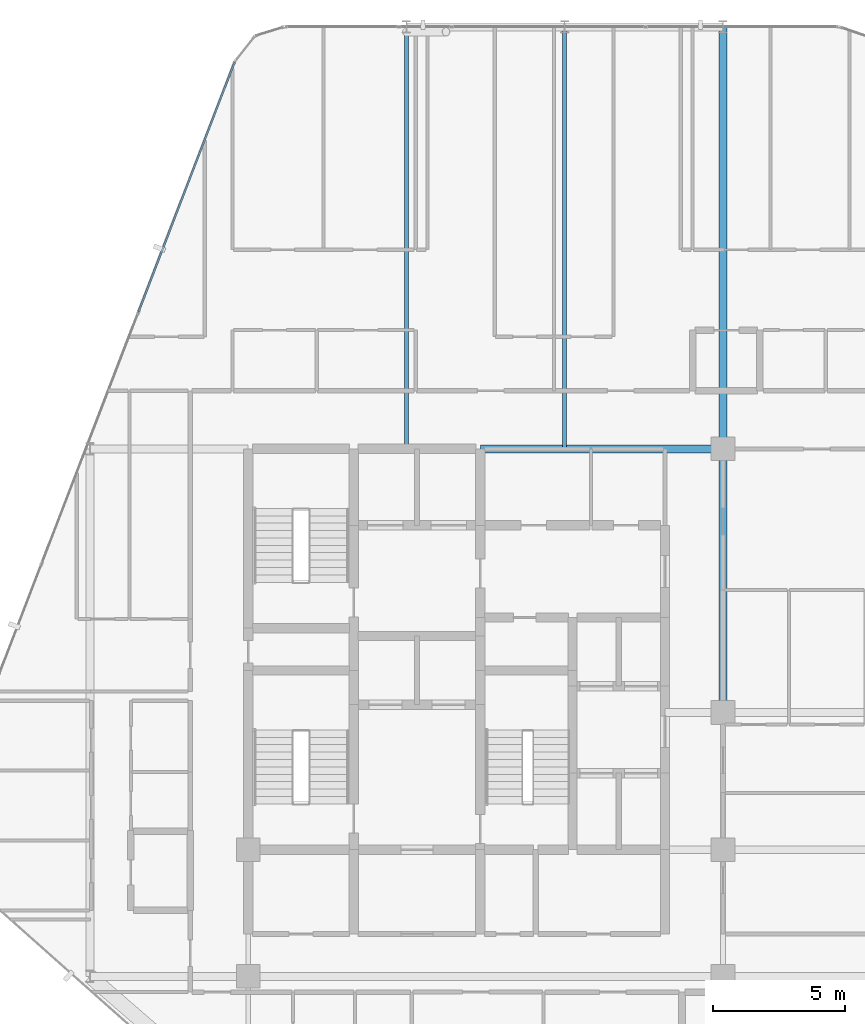
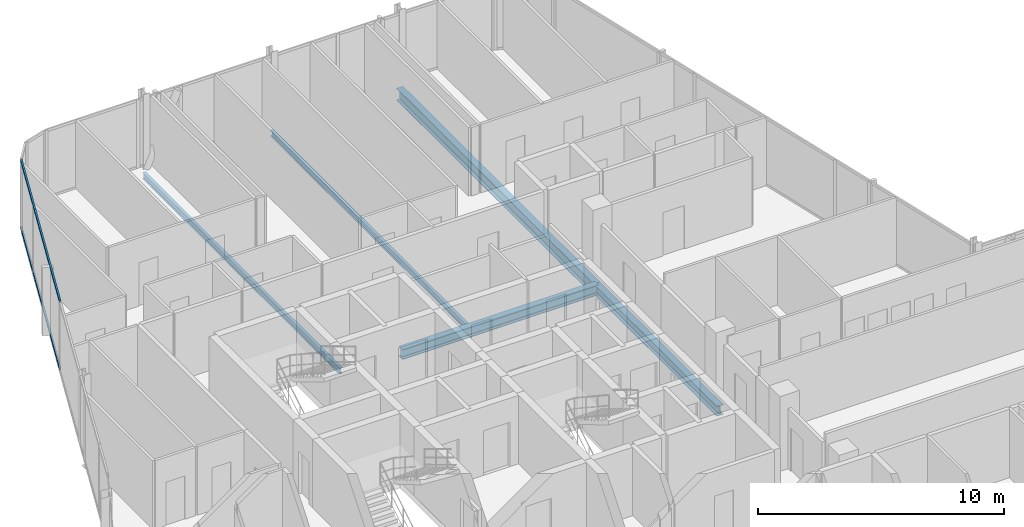
# One storey, part 17 of 29: 5 beams, 2 members, 1 element without a shape of its own.
"""IFC4 building model written with IfcOpenShell, lengths in metres."""

from ifc_helpers import new_model, si_unit, direction, frame, origin, origin_2d, place, context, subcontext, project, spatial, hollow_rectangle, i_section, extrude, material, layer, layer_set, material_profile, profile_set, type_object, element, aggregate, save


model = new_model("IFC4")

# Units and contexts
model_context = context("Model", 3, precision=1e-05, world=origin(), true_north=direction((0.0, 1.0)))
body_context = subcontext(model_context, "Body", "Model", "MODEL_VIEW")
ifc_project = project(units=[si_unit("LENGTHUNIT", "METRE"), si_unit("AREAUNIT", "SQUARE_METRE"), si_unit("VOLUMEUNIT", "CUBIC_METRE"), si_unit("PLANEANGLEUNIT", "RADIAN"), si_unit("MASSUNIT", "GRAM", prefix="KILO")], contexts=[model_context])

# Site, building, storey
site_placement = place(None, origin())
site = spatial("IfcSite", under=ifc_project, at=site_placement, CompositionType="ELEMENT")
building_placement = place(site_placement, origin())
building = spatial("IfcBuilding", under=site, at=building_placement, Name="Keshet Zoharim Tower", CompositionType="ELEMENT")
storey_placement = place(building_placement, frame((0.0, 0.0, 188.39990234375)))
storey = spatial("IfcBuildingStorey", under=building, at=storey_placement, Name="L46", CompositionType="ELEMENT", Elevation=188.39990234375)

# Beams
ifc_material_1 = material(Name="Steel S355", Category="steel")
ifc_material_profile_1 = material_profile(ifc_material_1, i_section(OverallWidth=0.14990234375, OverallDepth=0.300048828125, WebThickness=0.007080078125, FlangeThickness=0.0107421875, FilletRadius=0.014892578125, at=origin_2d()), Name="IPE300")
ifc_profile_set_1 = profile_set([ifc_material_profile_1], Name="Steel S355")
beam_type_1 = type_object("IfcBeamType", Name="BM-JST-IP300", PredefinedType="JOIST", material=ifc_profile_set_1)
for number, where, z_axis, x_axis, name in (
    (1, (21.0, 37.89990234375, -0.4599609375), (0.0, 1.0, 0.0), (-1.0, 0.0, 0.0), "L46 Secondary Floor Joist J-001"),
    (2, (27.0, 37.89990234375, -0.4599609375), (0.0, 1.0, 0.0), (-1.0, 0.0, 0.0), "L46 Secondary Floor Joist J-002"),
):
    element("IfcBeam", number, at=place(storey_placement, frame(where, z_axis=z_axis, x_axis=x_axis)), inside=storey, type_object=beam_type_1, Name=name, PredefinedType="JOIST", context=body_context, shape_type="SweptSolid", body=[
        extrude(i_section(OverallWidth=0.14990234375, OverallDepth=0.300048828125, WebThickness=0.007080078125, FlangeThickness=0.0107421875, FilletRadius=0.014892578125, at=origin_2d()), origin(), (0.0, 0.0, 1.0), 16.0),
    ])
ifc_material_profile_2 = material_profile(ifc_material_1, i_section(OverallWidth=0.300048828125, OverallDepth=0.60009765625, WebThickness=0.015380859375, FlangeThickness=0.030029296875, FilletRadius=0.027099609375, at=origin_2d()), Name="HEB600")
ifc_profile_set_2 = profile_set([ifc_material_profile_2], Name="Steel S355")
beam_type_2 = type_object("IfcBeamType", Name="BM-LNG-HB600", PredefinedType="BEAM", material=ifc_profile_set_2)
beam_1_placement = place(storey_placement, frame((33.0, 37.89990234375, -0.60986328125), z_axis=(0.0, 1.0, 0.0), x_axis=(-1.0, 0.0, 0.0)))
element("IfcBeam", 3, at=beam_1_placement, inside=storey, type_object=beam_type_2, Name="L46 Primary Girder Y-011", PredefinedType="BEAM", context=body_context, shape_type="SweptSolid", body=[
    extrude(i_section(OverallWidth=0.300048828125, OverallDepth=0.60009765625, WebThickness=0.015380859375, FlangeThickness=0.030029296875, FilletRadius=0.027099609375, at=origin_2d()), origin(), (0.0, 0.0, 1.0), 16.0),
])
ifc_material_profile_3 = material_profile(ifc_material_1, i_section(OverallWidth=0.300048828125, OverallDepth=0.5, WebThickness=0.014404296875, FlangeThickness=0.028076171875, FilletRadius=0.027099609375, at=origin_2d()), Name="HEB500")
ifc_profile_set_3 = profile_set([ifc_material_profile_3], Name="Steel S355")
beam_type_3 = type_object("IfcBeamType", Name="BM-MED-HB500", PredefinedType="BEAM", material=ifc_profile_set_3)
beam_2_placement = place(storey_placement, frame((23.800048828125, 37.89990234375, -0.559814453125), z_axis=(1.0, 0.0, 0.0), x_axis=(0.0, 1.0, 0.0)))
element("IfcBeam", 4, at=beam_2_placement, inside=storey, type_object=beam_type_3, Name="L46 Primary Girder X-018", PredefinedType="BEAM", context=body_context, shape_type="SweptSolid", body=[
    extrude(i_section(OverallWidth=0.300048828125, OverallDepth=0.5, WebThickness=0.014404296875, FlangeThickness=0.028076171875, FilletRadius=0.027099609375, at=origin_2d()), origin(), (0.0, 0.0, 1.0), 9.199951171875),
])
beam_3_placement = place(storey_placement, frame((33.0, 27.89990234375, -0.559814453125), z_axis=(0.0, 1.0, 0.0), x_axis=(-1.0, 0.0, 0.0)))
element("IfcBeam", 5, at=beam_3_placement, inside=storey, type_object=beam_type_3, Name="L46 Primary Girder Y-010", PredefinedType="BEAM", context=body_context, shape_type="SweptSolid", body=[
    extrude(i_section(OverallWidth=0.300048828125, OverallDepth=0.5, WebThickness=0.014404296875, FlangeThickness=0.028076171875, FilletRadius=0.027099609375, at=origin_2d()), origin(), (0.0, 0.0, 1.0), 10.0),
])

# Curtain wall, members
ifc_material_2 = material(Name="Aluminium 6063-T6", Category="aluminium")
ifc_layer = layer(ifc_material_2, 0.139892578125)
ifc_layer_set = layer_set([ifc_layer], Name="Aluminium 6063-T6")
curtain_wall_type = type_object("IfcCurtainWallType", Name="CW-SYS-05", PredefinedType="NOTDEFINED", material=ifc_layer_set)
curtain_wall_placement = place(storey_placement, origin())
curtain_wall = element("IfcCurtainWall", 6, at=curtain_wall_placement, inside=storey, type_object=curtain_wall_type, Name="L46 Unitised Curtain Wall 13", PredefinedType="NOTDEFINED")
ifc_material_profile_4 = material_profile(ifc_material_2, hollow_rectangle(XDim=0.074951171875, YDim=0.1201171875, WallThickness=0.00390625, at=origin_2d()), Name="TRN-75x120")
ifc_profile_set_4 = profile_set([ifc_material_profile_4], Name="Aluminium 6063-T6")
member_type = type_object("IfcMemberType", Name="CWT-T12", PredefinedType="USERDEFINED", material=ifc_profile_set_4)
member_1_placement = place(storey_placement, frame((10.849609375, 43.10888671875, 0.03515625), z_axis=(0.358985546764, 0.933343118694, 0.0), x_axis=(-0.933343118694, 0.358985546764, 0.0)))
member_1 = element("IfcMember", 7, at=member_1_placement, type_object=member_type, Name="CW-05 transom 3.1", ObjectType="TRANSOM", PredefinedType="USERDEFINED", context=body_context, shape_type="SweptSolid", body=[
    extrude(hollow_rectangle(XDim=0.074951171875, YDim=0.1201171875, WallThickness=0.00390625, at=origin_2d()), origin(), (0.0, 0.0, 1.0), 10.118408203125),
])
member_2_placement = place(storey_placement, frame((10.849609375, 43.10888671875, 3.35498046875), z_axis=(0.358985546764, 0.933343118694, 0.0), x_axis=(-0.933343118694, 0.358985546764, 0.0)))
member_2 = element("IfcMember", 8, at=member_2_placement, type_object=member_type, Name="CW-05 transom 3.2", ObjectType="TRANSOM", PredefinedType="USERDEFINED", context=body_context, shape_type="SweptSolid", body=[
    extrude(hollow_rectangle(XDim=0.074951171875, YDim=0.1201171875, WallThickness=0.00390625, at=origin_2d()), origin(), (0.0, 0.0, 1.0), 10.118408203125),
])
aggregate(curtain_wall, [member_1, member_2])

save(model, "model.ifc")
